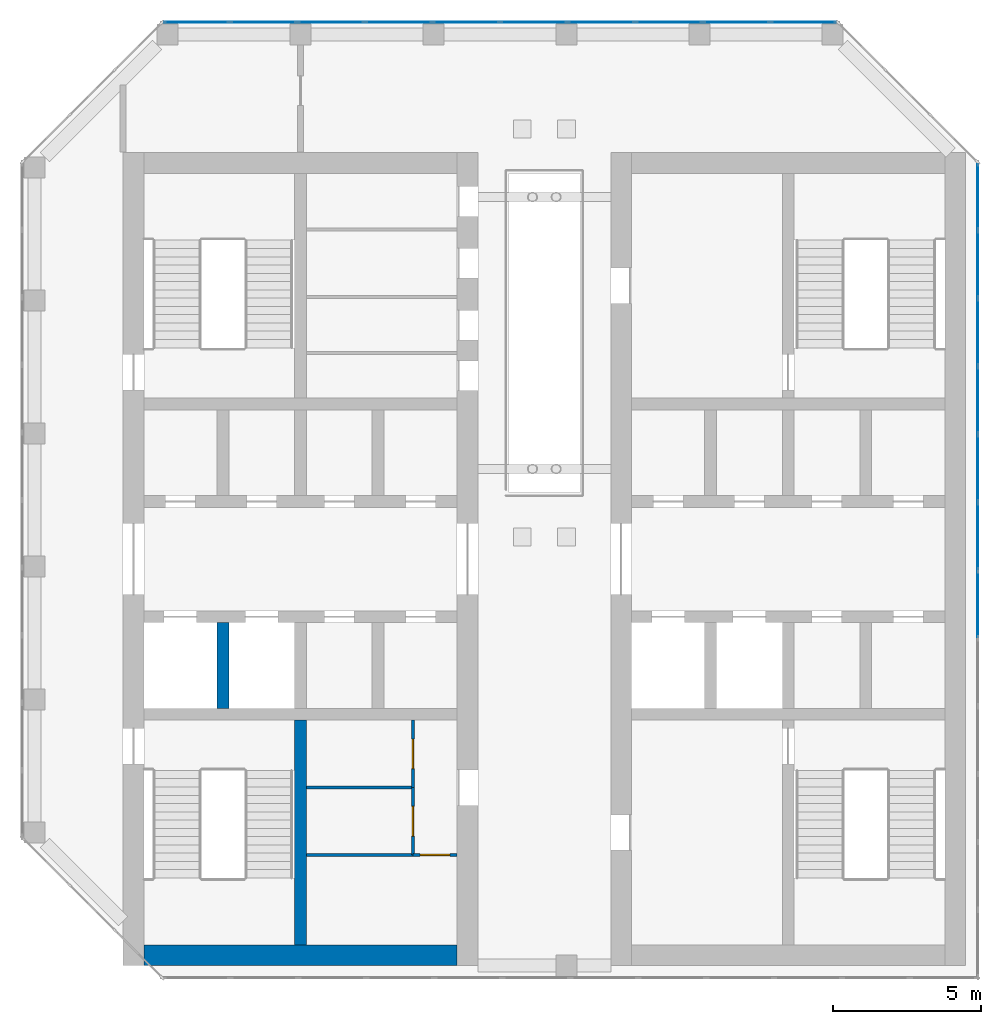
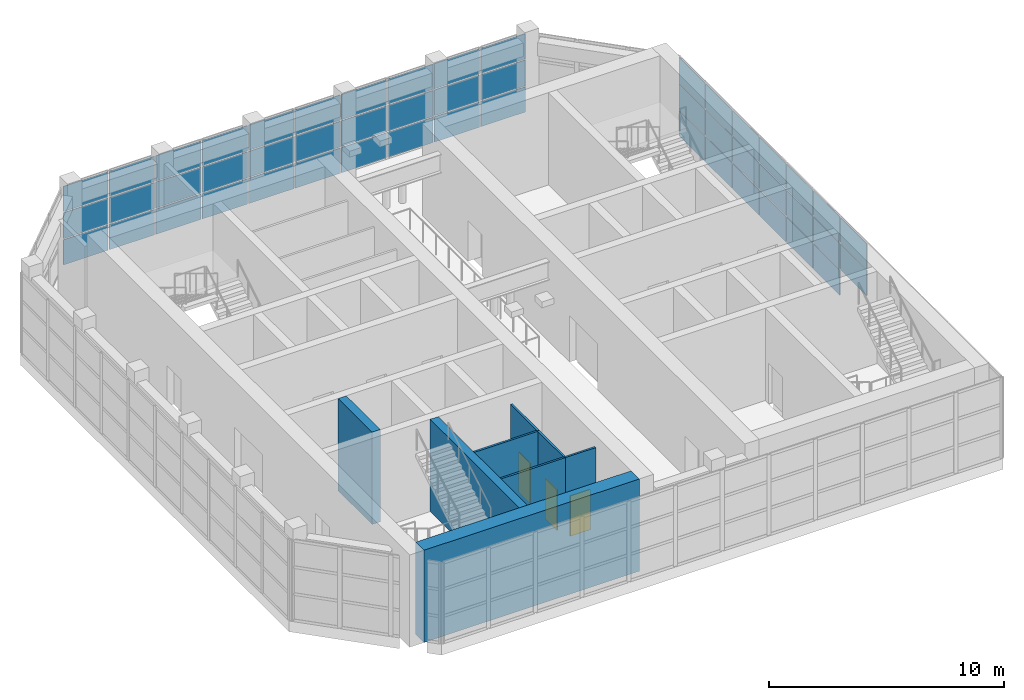
# One storey, part 9 of 13: 50 plates, 8 walls, 3 doors, 3 openings, 2 elements without a shape of their own.
"""IFC4 building model written with IfcOpenShell, lengths in metres."""

from ifc_helpers import new_model, si_unit, direction, frame, frame_2d, origin, origin_2d, place, context, subcontext, project, spatial, rectangle, extrude, material, layer, layer_set, type_object, element, fill, aggregate, save


model = new_model("IFC4")

# Units and contexts
model_context = context("Model", 3, precision=1e-05, world=origin(), true_north=direction((0.0, 1.0)))
body_context = subcontext(model_context, "Body", "Model", "MODEL_VIEW")
ifc_project = project(units=[si_unit("LENGTHUNIT", "METRE"), si_unit("AREAUNIT", "SQUARE_METRE"), si_unit("VOLUMEUNIT", "CUBIC_METRE"), si_unit("PLANEANGLEUNIT", "RADIAN"), si_unit("MASSUNIT", "GRAM", prefix="KILO")], contexts=[model_context])

# Site, building, storey
site_placement = place(None, origin())
site = spatial("IfcSite", under=ifc_project, at=site_placement, CompositionType="ELEMENT")
building_placement = place(site_placement, origin())
building = spatial("IfcBuilding", under=site, at=building_placement, Name="Corbel Stack Research Tower", CompositionType="ELEMENT")
storey_placement = place(building_placement, frame((0.0, 0.0, 316.60009765625)))
storey = spatial("IfcBuildingStorey", under=building, at=storey_placement, Name="L71", CompositionType="ELEMENT", Elevation=316.60009765625)

# Curtain wall, plates
ifc_material_1 = material(Name="Aluminium and glass", Category="aluminium")
curtain_wall_type = type_object("IfcCurtainWallType", Name="CW4C damper hall glazing wall, corner", PredefinedType="NOTDEFINED", material=ifc_material_1)
curtain_wall_1_placement = place(storey_placement, origin())
curtain_wall_1 = element("IfcCurtainWall", 1, at=curtain_wall_1_placement, inside=storey, type_object=curtain_wall_type, Name="Damper hall curtain wall L71 4", PredefinedType="NOTDEFINED")
ifc_material_2 = material(Name="Glass, laminated amber tint", Category="glass")
ifc_layer_1 = layer(ifc_material_2, 0.031982421875)
ifc_layer_set_1 = layer_set([ifc_layer_1], Name="Glass, laminated amber tint")
plate_type = type_object("IfcPlateType", Name="CW4 amber laminated glass panel 32", PredefinedType="CURTAIN_PANEL", material=ifc_layer_set_1)
plate_1_placement = place(storey_placement, frame((-8.0166015625, 22.919921875, 0.059814453125), z_axis=(0.0, 0.0, 1.0), x_axis=(1.0, 0.0, 0.0)))
plate_1 = element("IfcPlate", 2, at=plate_1_placement, type_object=plate_type, Name="CW4C panel 1.1", PredefinedType="CURTAIN_PANEL", context=body_context, shape_type="SweptSolid", body=[
    extrude(rectangle(XDim=2.19482421875, YDim=0.031982421875, at=origin_2d()), origin(), (0.0, 0.0, 1.0), 1.31005859375),
])
plate_2_placement = place(storey_placement, frame((-8.0166015625, 22.919921875, 1.4296875), z_axis=(0.0, 0.0, 1.0), x_axis=(1.0, 0.0, 0.0)))
plate_2 = element("IfcPlate", 3, at=plate_2_placement, type_object=plate_type, Name="CW4C panel 1.2", PredefinedType="CURTAIN_PANEL", context=body_context, shape_type="SweptSolid", body=[
    extrude(rectangle(XDim=2.19482421875, YDim=0.031982421875, at=origin_2d()), origin(), (0.0, 0.0, 1.0), 1.340087890625),
])
plate_3_placement = place(storey_placement, frame((-8.0166015625, 22.919921875, 2.829833984375), z_axis=(0.0, 0.0, 1.0), x_axis=(1.0, 0.0, 0.0)))
plate_3 = element("IfcPlate", 4, at=plate_3_placement, type_object=plate_type, Name="CW4C panel 1.3", PredefinedType="CURTAIN_PANEL", context=body_context, shape_type="SweptSolid", body=[
    extrude(rectangle(XDim=2.19482421875, YDim=0.031982421875, at=origin_2d()), origin(), (0.0, 0.0, 1.0), 1.31005859375),
])
plate_4_placement = place(storey_placement, frame((-5.746826171875, 22.919921875, 0.059814453125), z_axis=(0.0, 0.0, 1.0), x_axis=(1.0, 0.0, 0.0)))
plate_4 = element("IfcPlate", 5, at=plate_4_placement, type_object=plate_type, Name="CW4C panel 2.1", PredefinedType="CURTAIN_PANEL", context=body_context, shape_type="SweptSolid", body=[
    extrude(rectangle(XDim=2.224853515625, YDim=0.031982421875, at=origin_2d()), origin(), (0.0, 0.0, 1.0), 1.31005859375),
])
plate_5_placement = place(storey_placement, frame((-5.746826171875, 22.919921875, 1.4296875), z_axis=(0.0, 0.0, 1.0), x_axis=(1.0, 0.0, 0.0)))
plate_5 = element("IfcPlate", 6, at=plate_5_placement, type_object=plate_type, Name="CW4C panel 2.2", PredefinedType="CURTAIN_PANEL", context=body_context, shape_type="SweptSolid", body=[
    extrude(rectangle(XDim=2.224853515625, YDim=0.031982421875, at=origin_2d()), origin(), (0.0, 0.0, 1.0), 1.340087890625),
])
plate_6_placement = place(storey_placement, frame((-5.746826171875, 22.919921875, 2.829833984375), z_axis=(0.0, 0.0, 1.0), x_axis=(1.0, 0.0, 0.0)))
plate_6 = element("IfcPlate", 7, at=plate_6_placement, type_object=plate_type, Name="CW4C panel 2.3", PredefinedType="CURTAIN_PANEL", context=body_context, shape_type="SweptSolid", body=[
    extrude(rectangle(XDim=2.224853515625, YDim=0.031982421875, at=origin_2d()), origin(), (0.0, 0.0, 1.0), 1.31005859375),
])
plate_7_placement = place(storey_placement, frame((-3.4619140625, 22.919921875, 0.059814453125), z_axis=(0.0, 0.0, 1.0), x_axis=(1.0, 0.0, 0.0)))
plate_7 = element("IfcPlate", 8, at=plate_7_placement, type_object=plate_type, Name="CW4C panel 3.1", PredefinedType="CURTAIN_PANEL", context=body_context, shape_type="SweptSolid", body=[
    extrude(rectangle(XDim=2.224853515625, YDim=0.031982421875, at=origin_2d()), origin(), (0.0, 0.0, 1.0), 1.31005859375),
])
plate_8_placement = place(storey_placement, frame((-3.4619140625, 22.919921875, 1.4296875), z_axis=(0.0, 0.0, 1.0), x_axis=(1.0, 0.0, 0.0)))
plate_8 = element("IfcPlate", 9, at=plate_8_placement, type_object=plate_type, Name="CW4C panel 3.2", PredefinedType="CURTAIN_PANEL", context=body_context, shape_type="SweptSolid", body=[
    extrude(rectangle(XDim=2.224853515625, YDim=0.031982421875, at=origin_2d()), origin(), (0.0, 0.0, 1.0), 1.340087890625),
])
plate_9_placement = place(storey_placement, frame((-3.4619140625, 22.919921875, 2.829833984375), z_axis=(0.0, 0.0, 1.0), x_axis=(1.0, 0.0, 0.0)))
plate_9 = element("IfcPlate", 10, at=plate_9_placement, type_object=plate_type, Name="CW4C panel 3.3", PredefinedType="CURTAIN_PANEL", context=body_context, shape_type="SweptSolid", body=[
    extrude(rectangle(XDim=2.224853515625, YDim=0.031982421875, at=origin_2d()), origin(), (0.0, 0.0, 1.0), 1.31005859375),
])
plate_10_placement = place(storey_placement, frame((-1.17724609375, 22.919921875, 0.059814453125), z_axis=(0.0, 0.0, 1.0), x_axis=(1.0, 0.0, 0.0)))
plate_10 = element("IfcPlate", 11, at=plate_10_placement, type_object=plate_type, Name="CW4C panel 4.1", PredefinedType="CURTAIN_PANEL", context=body_context, shape_type="SweptSolid", body=[
    extrude(rectangle(XDim=2.224853515625, YDim=0.031982421875, at=origin_2d()), origin(), (0.0, 0.0, 1.0), 1.31005859375),
])
plate_11_placement = place(storey_placement, frame((-1.17724609375, 22.919921875, 1.4296875), z_axis=(0.0, 0.0, 1.0), x_axis=(1.0, 0.0, 0.0)))
plate_11 = element("IfcPlate", 12, at=plate_11_placement, type_object=plate_type, Name="CW4C panel 4.2", PredefinedType="CURTAIN_PANEL", context=body_context, shape_type="SweptSolid", body=[
    extrude(rectangle(XDim=2.224853515625, YDim=0.031982421875, at=origin_2d()), origin(), (0.0, 0.0, 1.0), 1.340087890625),
])
plate_12_placement = place(storey_placement, frame((-1.17724609375, 22.919921875, 2.829833984375), z_axis=(0.0, 0.0, 1.0), x_axis=(1.0, 0.0, 0.0)))
plate_12 = element("IfcPlate", 13, at=plate_12_placement, type_object=plate_type, Name="CW4C panel 4.3", PredefinedType="CURTAIN_PANEL", context=body_context, shape_type="SweptSolid", body=[
    extrude(rectangle(XDim=2.224853515625, YDim=0.031982421875, at=origin_2d()), origin(), (0.0, 0.0, 1.0), 1.31005859375),
])
plate_13_placement = place(storey_placement, frame((1.107666015625, 22.919921875, 0.059814453125), z_axis=(0.0, 0.0, 1.0), x_axis=(1.0, 0.0, 0.0)))
plate_13 = element("IfcPlate", 14, at=plate_13_placement, type_object=plate_type, Name="CW4C panel 5.1", PredefinedType="CURTAIN_PANEL", context=body_context, shape_type="SweptSolid", body=[
    extrude(rectangle(XDim=2.224853515625, YDim=0.031982421875, at=origin_2d()), origin(), (0.0, 0.0, 1.0), 1.31005859375),
])
plate_14_placement = place(storey_placement, frame((1.107666015625, 22.919921875, 1.4296875), z_axis=(0.0, 0.0, 1.0), x_axis=(1.0, 0.0, 0.0)))
plate_14 = element("IfcPlate", 15, at=plate_14_placement, type_object=plate_type, Name="CW4C panel 5.2", PredefinedType="CURTAIN_PANEL", context=body_context, shape_type="SweptSolid", body=[
    extrude(rectangle(XDim=2.224853515625, YDim=0.031982421875, at=origin_2d()), origin(), (0.0, 0.0, 1.0), 1.340087890625),
])
plate_15_placement = place(storey_placement, frame((1.107666015625, 22.919921875, 2.829833984375), z_axis=(0.0, 0.0, 1.0), x_axis=(1.0, 0.0, 0.0)))
plate_15 = element("IfcPlate", 16, at=plate_15_placement, type_object=plate_type, Name="CW4C panel 5.3", PredefinedType="CURTAIN_PANEL", context=body_context, shape_type="SweptSolid", body=[
    extrude(rectangle(XDim=2.224853515625, YDim=0.031982421875, at=origin_2d()), origin(), (0.0, 0.0, 1.0), 1.31005859375),
])
plate_16_placement = place(storey_placement, frame((3.392333984375, 22.919921875, 0.059814453125), z_axis=(0.0, 0.0, 1.0), x_axis=(1.0, 0.0, 0.0)))
plate_16 = element("IfcPlate", 17, at=plate_16_placement, type_object=plate_type, Name="CW4C panel 6.1", PredefinedType="CURTAIN_PANEL", context=body_context, shape_type="SweptSolid", body=[
    extrude(rectangle(XDim=2.224853515625, YDim=0.031982421875, at=origin_2d()), origin(), (0.0, 0.0, 1.0), 1.31005859375),
])
plate_17_placement = place(storey_placement, frame((3.392333984375, 22.919921875, 1.4296875), z_axis=(0.0, 0.0, 1.0), x_axis=(1.0, 0.0, 0.0)))
plate_17 = element("IfcPlate", 18, at=plate_17_placement, type_object=plate_type, Name="CW4C panel 6.2", PredefinedType="CURTAIN_PANEL", context=body_context, shape_type="SweptSolid", body=[
    extrude(rectangle(XDim=2.224853515625, YDim=0.031982421875, at=origin_2d()), origin(), (0.0, 0.0, 1.0), 1.340087890625),
])
plate_18_placement = place(storey_placement, frame((3.392333984375, 22.919921875, 2.829833984375), z_axis=(0.0, 0.0, 1.0), x_axis=(1.0, 0.0, 0.0)))
plate_18 = element("IfcPlate", 19, at=plate_18_placement, type_object=plate_type, Name="CW4C panel 6.3", PredefinedType="CURTAIN_PANEL", context=body_context, shape_type="SweptSolid", body=[
    extrude(rectangle(XDim=2.224853515625, YDim=0.031982421875, at=origin_2d()), origin(), (0.0, 0.0, 1.0), 1.31005859375),
])
plate_19_placement = place(storey_placement, frame((5.67724609375, 22.919921875, 0.059814453125), z_axis=(0.0, 0.0, 1.0), x_axis=(1.0, 0.0, 0.0)))
plate_19 = element("IfcPlate", 20, at=plate_19_placement, type_object=plate_type, Name="CW4C panel 7.1", PredefinedType="CURTAIN_PANEL", context=body_context, shape_type="SweptSolid", body=[
    extrude(rectangle(XDim=2.224853515625, YDim=0.031982421875, at=origin_2d()), origin(), (0.0, 0.0, 1.0), 1.31005859375),
])
plate_20_placement = place(storey_placement, frame((5.67724609375, 22.919921875, 1.4296875), z_axis=(0.0, 0.0, 1.0), x_axis=(1.0, 0.0, 0.0)))
plate_20 = element("IfcPlate", 21, at=plate_20_placement, type_object=plate_type, Name="CW4C panel 7.2", PredefinedType="CURTAIN_PANEL", context=body_context, shape_type="SweptSolid", body=[
    extrude(rectangle(XDim=2.224853515625, YDim=0.031982421875, at=origin_2d()), origin(), (0.0, 0.0, 1.0), 1.340087890625),
])
plate_21_placement = place(storey_placement, frame((5.67724609375, 22.919921875, 2.829833984375), z_axis=(0.0, 0.0, 1.0), x_axis=(1.0, 0.0, 0.0)))
plate_21 = element("IfcPlate", 22, at=plate_21_placement, type_object=plate_type, Name="CW4C panel 7.3", PredefinedType="CURTAIN_PANEL", context=body_context, shape_type="SweptSolid", body=[
    extrude(rectangle(XDim=2.224853515625, YDim=0.031982421875, at=origin_2d()), origin(), (0.0, 0.0, 1.0), 1.31005859375),
])
plate_22_placement = place(storey_placement, frame((7.9619140625, 22.919921875, 0.059814453125), z_axis=(0.0, 0.0, 1.0), x_axis=(1.0, 0.0, 0.0)))
plate_22 = element("IfcPlate", 23, at=plate_22_placement, type_object=plate_type, Name="CW4C panel 8.1", PredefinedType="CURTAIN_PANEL", context=body_context, shape_type="SweptSolid", body=[
    extrude(rectangle(XDim=2.224853515625, YDim=0.031982421875, at=origin_2d()), origin(), (0.0, 0.0, 1.0), 1.31005859375),
])
plate_23_placement = place(storey_placement, frame((7.9619140625, 22.919921875, 1.4296875), z_axis=(0.0, 0.0, 1.0), x_axis=(1.0, 0.0, 0.0)))
plate_23 = element("IfcPlate", 24, at=plate_23_placement, type_object=plate_type, Name="CW4C panel 8.2", PredefinedType="CURTAIN_PANEL", context=body_context, shape_type="SweptSolid", body=[
    extrude(rectangle(XDim=2.224853515625, YDim=0.031982421875, at=origin_2d()), origin(), (0.0, 0.0, 1.0), 1.340087890625),
])
plate_24_placement = place(storey_placement, frame((7.9619140625, 22.919921875, 2.829833984375), z_axis=(0.0, 0.0, 1.0), x_axis=(1.0, 0.0, 0.0)))
plate_24 = element("IfcPlate", 25, at=plate_24_placement, type_object=plate_type, Name="CW4C panel 8.3", PredefinedType="CURTAIN_PANEL", context=body_context, shape_type="SweptSolid", body=[
    extrude(rectangle(XDim=2.224853515625, YDim=0.031982421875, at=origin_2d()), origin(), (0.0, 0.0, 1.0), 1.31005859375),
])
plate_25_placement = place(storey_placement, frame((10.246826171875, 22.919921875, 0.059814453125), z_axis=(0.0, 0.0, 1.0), x_axis=(1.0, 0.0, 0.0)))
plate_25 = element("IfcPlate", 26, at=plate_25_placement, type_object=plate_type, Name="CW4C panel 9.1", PredefinedType="CURTAIN_PANEL", context=body_context, shape_type="SweptSolid", body=[
    extrude(rectangle(XDim=2.224853515625, YDim=0.031982421875, at=origin_2d()), origin(), (0.0, 0.0, 1.0), 1.31005859375),
])
plate_26_placement = place(storey_placement, frame((10.246826171875, 22.919921875, 1.4296875), z_axis=(0.0, 0.0, 1.0), x_axis=(1.0, 0.0, 0.0)))
plate_26 = element("IfcPlate", 27, at=plate_26_placement, type_object=plate_type, Name="CW4C panel 9.2", PredefinedType="CURTAIN_PANEL", context=body_context, shape_type="SweptSolid", body=[
    extrude(rectangle(XDim=2.224853515625, YDim=0.031982421875, at=origin_2d()), origin(), (0.0, 0.0, 1.0), 1.340087890625),
])
plate_27_placement = place(storey_placement, frame((10.246826171875, 22.919921875, 2.829833984375), z_axis=(0.0, 0.0, 1.0), x_axis=(1.0, 0.0, 0.0)))
plate_27 = element("IfcPlate", 28, at=plate_27_placement, type_object=plate_type, Name="CW4C panel 9.3", PredefinedType="CURTAIN_PANEL", context=body_context, shape_type="SweptSolid", body=[
    extrude(rectangle(XDim=2.224853515625, YDim=0.031982421875, at=origin_2d()), origin(), (0.0, 0.0, 1.0), 1.31005859375),
])
plate_28_placement = place(storey_placement, frame((12.5166015625, 22.919921875, 0.059814453125), z_axis=(0.0, 0.0, 1.0), x_axis=(1.0, 0.0, 0.0)))
plate_28 = element("IfcPlate", 29, at=plate_28_placement, type_object=plate_type, Name="CW4C panel 10.1", PredefinedType="CURTAIN_PANEL", context=body_context, shape_type="SweptSolid", body=[
    extrude(rectangle(XDim=2.19482421875, YDim=0.031982421875, at=origin_2d()), origin(), (0.0, 0.0, 1.0), 1.31005859375),
])
plate_29_placement = place(storey_placement, frame((12.5166015625, 22.919921875, 1.4296875), z_axis=(0.0, 0.0, 1.0), x_axis=(1.0, 0.0, 0.0)))
plate_29 = element("IfcPlate", 30, at=plate_29_placement, type_object=plate_type, Name="CW4C panel 10.2", PredefinedType="CURTAIN_PANEL", context=body_context, shape_type="SweptSolid", body=[
    extrude(rectangle(XDim=2.19482421875, YDim=0.031982421875, at=origin_2d()), origin(), (0.0, 0.0, 1.0), 1.340087890625),
])
plate_30_placement = place(storey_placement, frame((12.5166015625, 22.919921875, 2.829833984375), z_axis=(0.0, 0.0, 1.0), x_axis=(1.0, 0.0, 0.0)))
plate_30 = element("IfcPlate", 31, at=plate_30_placement, type_object=plate_type, Name="CW4C panel 10.3", PredefinedType="CURTAIN_PANEL", context=body_context, shape_type="SweptSolid", body=[
    extrude(rectangle(XDim=2.19482421875, YDim=0.031982421875, at=origin_2d()), origin(), (0.0, 0.0, 1.0), 1.31005859375),
])
aggregate(curtain_wall_1, [plate_1, plate_2, plate_3, plate_4, plate_5, plate_6, plate_7, plate_8, plate_9, plate_10, plate_11, plate_12, plate_13, plate_14, plate_15, plate_16, plate_17, plate_18, plate_19, plate_20, plate_21, plate_22, plate_23, plate_24, plate_25, plate_26, plate_27, plate_28, plate_29, plate_30])

curtain_wall_2_placement = place(storey_placement, origin())
curtain_wall_2 = element("IfcCurtainWall", 32, at=curtain_wall_2_placement, inside=storey, type_object=curtain_wall_type, Name="Damper hall curtain wall L71 6", PredefinedType="NOTDEFINED")
plate_31_placement = place(storey_placement, frame((18.419921875, 17.00927734375, 0.059814453125), z_axis=(0.0, 0.0, 1.0), x_axis=(0.0, -1.0, 0.0)))
plate_31 = element("IfcPlate", 33, at=plate_31_placement, type_object=plate_type, Name="CW4C panel 1.1", PredefinedType="CURTAIN_PANEL", context=body_context, shape_type="SweptSolid", body=[
    extrude(rectangle(XDim=2.20947265625, YDim=0.031982421875, at=origin_2d()), origin(), (0.0, 0.0, 1.0), 1.31005859375),
])
plate_32_placement = place(storey_placement, frame((18.419921875, 17.00927734375, 1.4296875), z_axis=(0.0, 0.0, 1.0), x_axis=(0.0, -1.0, 0.0)))
plate_32 = element("IfcPlate", 34, at=plate_32_placement, type_object=plate_type, Name="CW4C panel 1.2", PredefinedType="CURTAIN_PANEL", context=body_context, shape_type="SweptSolid", body=[
    extrude(rectangle(XDim=2.20947265625, YDim=0.031982421875, at=origin_2d()), origin(), (0.0, 0.0, 1.0), 1.340087890625),
])
plate_33_placement = place(storey_placement, frame((18.419921875, 17.00927734375, 2.829833984375), z_axis=(0.0, 0.0, 1.0), x_axis=(0.0, -1.0, 0.0)))
plate_33 = element("IfcPlate", 35, at=plate_33_placement, type_object=plate_type, Name="CW4C panel 1.3", PredefinedType="CURTAIN_PANEL", context=body_context, shape_type="SweptSolid", body=[
    extrude(rectangle(XDim=2.20947265625, YDim=0.031982421875, at=origin_2d()), origin(), (0.0, 0.0, 1.0), 1.31005859375),
])
plate_34_placement = place(storey_placement, frame((18.419921875, 14.724853515625, 0.059814453125), z_axis=(0.0, 0.0, 1.0), x_axis=(0.0, -1.0, 0.0)))
plate_34 = element("IfcPlate", 36, at=plate_34_placement, type_object=plate_type, Name="CW4C panel 2.1", PredefinedType="CURTAIN_PANEL", context=body_context, shape_type="SweptSolid", body=[
    extrude(rectangle(XDim=2.239501953125, YDim=0.031982421875, at=origin_2d()), origin(), (0.0, 0.0, 1.0), 1.31005859375),
])
plate_35_placement = place(storey_placement, frame((18.419921875, 14.724853515625, 1.4296875), z_axis=(0.0, 0.0, 1.0), x_axis=(0.0, -1.0, 0.0)))
plate_35 = element("IfcPlate", 37, at=plate_35_placement, type_object=plate_type, Name="CW4C panel 2.2", PredefinedType="CURTAIN_PANEL", context=body_context, shape_type="SweptSolid", body=[
    extrude(rectangle(XDim=2.239501953125, YDim=0.031982421875, at=origin_2d()), origin(), (0.0, 0.0, 1.0), 1.340087890625),
])
plate_36_placement = place(storey_placement, frame((18.419921875, 14.724853515625, 2.829833984375), z_axis=(0.0, 0.0, 1.0), x_axis=(0.0, -1.0, 0.0)))
plate_36 = element("IfcPlate", 38, at=plate_36_placement, type_object=plate_type, Name="CW4C panel 2.3", PredefinedType="CURTAIN_PANEL", context=body_context, shape_type="SweptSolid", body=[
    extrude(rectangle(XDim=2.239501953125, YDim=0.031982421875, at=origin_2d()), origin(), (0.0, 0.0, 1.0), 1.31005859375),
])
plate_37_placement = place(storey_placement, frame((18.419921875, 12.42529296875, 0.059814453125), z_axis=(0.0, 0.0, 1.0), x_axis=(0.0, -1.0, 0.0)))
plate_37 = element("IfcPlate", 39, at=plate_37_placement, type_object=plate_type, Name="CW4C panel 3.1", PredefinedType="CURTAIN_PANEL", context=body_context, shape_type="SweptSolid", body=[
    extrude(rectangle(XDim=2.239501953125, YDim=0.031982421875, at=origin_2d()), origin(), (0.0, 0.0, 1.0), 1.31005859375),
])
plate_38_placement = place(storey_placement, frame((18.419921875, 12.42529296875, 1.4296875), z_axis=(0.0, 0.0, 1.0), x_axis=(0.0, -1.0, 0.0)))
plate_38 = element("IfcPlate", 40, at=plate_38_placement, type_object=plate_type, Name="CW4C panel 3.2", PredefinedType="CURTAIN_PANEL", context=body_context, shape_type="SweptSolid", body=[
    extrude(rectangle(XDim=2.239501953125, YDim=0.031982421875, at=origin_2d()), origin(), (0.0, 0.0, 1.0), 1.340087890625),
])
plate_39_placement = place(storey_placement, frame((18.419921875, 12.42529296875, 2.829833984375), z_axis=(0.0, 0.0, 1.0), x_axis=(0.0, -1.0, 0.0)))
plate_39 = element("IfcPlate", 41, at=plate_39_placement, type_object=plate_type, Name="CW4C panel 3.3", PredefinedType="CURTAIN_PANEL", context=body_context, shape_type="SweptSolid", body=[
    extrude(rectangle(XDim=2.239501953125, YDim=0.031982421875, at=origin_2d()), origin(), (0.0, 0.0, 1.0), 1.31005859375),
])
plate_40_placement = place(storey_placement, frame((18.419921875, 10.125732421875, 0.059814453125), z_axis=(0.0, 0.0, 1.0), x_axis=(0.0, -1.0, 0.0)))
plate_40 = element("IfcPlate", 42, at=plate_40_placement, type_object=plate_type, Name="CW4C panel 4.1", PredefinedType="CURTAIN_PANEL", context=body_context, shape_type="SweptSolid", body=[
    extrude(rectangle(XDim=2.239501953125, YDim=0.031982421875, at=origin_2d()), origin(), (0.0, 0.0, 1.0), 1.31005859375),
])
plate_41_placement = place(storey_placement, frame((18.419921875, 10.125732421875, 1.4296875), z_axis=(0.0, 0.0, 1.0), x_axis=(0.0, -1.0, 0.0)))
plate_41 = element("IfcPlate", 43, at=plate_41_placement, type_object=plate_type, Name="CW4C panel 4.2", PredefinedType="CURTAIN_PANEL", context=body_context, shape_type="SweptSolid", body=[
    extrude(rectangle(XDim=2.239501953125, YDim=0.031982421875, at=origin_2d()), origin(), (0.0, 0.0, 1.0), 1.340087890625),
])
plate_42_placement = place(storey_placement, frame((18.419921875, 10.125732421875, 2.829833984375), z_axis=(0.0, 0.0, 1.0), x_axis=(0.0, -1.0, 0.0)))
plate_42 = element("IfcPlate", 44, at=plate_42_placement, type_object=plate_type, Name="CW4C panel 4.3", PredefinedType="CURTAIN_PANEL", context=body_context, shape_type="SweptSolid", body=[
    extrude(rectangle(XDim=2.239501953125, YDim=0.031982421875, at=origin_2d()), origin(), (0.0, 0.0, 1.0), 1.31005859375),
])
plate_43_placement = place(storey_placement, frame((18.419921875, 7.826171875, 0.059814453125), z_axis=(0.0, 0.0, 1.0), x_axis=(0.0, -1.0, 0.0)))
plate_43 = element("IfcPlate", 45, at=plate_43_placement, type_object=plate_type, Name="CW4C panel 5.1", PredefinedType="CURTAIN_PANEL", context=body_context, shape_type="SweptSolid", body=[
    extrude(rectangle(XDim=2.239501953125, YDim=0.031982421875, at=origin_2d()), origin(), (0.0, 0.0, 1.0), 1.31005859375),
])
plate_44_placement = place(storey_placement, frame((18.419921875, 7.826171875, 1.4296875), z_axis=(0.0, 0.0, 1.0), x_axis=(0.0, -1.0, 0.0)))
plate_44 = element("IfcPlate", 46, at=plate_44_placement, type_object=plate_type, Name="CW4C panel 5.2", PredefinedType="CURTAIN_PANEL", context=body_context, shape_type="SweptSolid", body=[
    extrude(rectangle(XDim=2.239501953125, YDim=0.031982421875, at=origin_2d()), origin(), (0.0, 0.0, 1.0), 1.340087890625),
])
plate_45_placement = place(storey_placement, frame((18.419921875, 7.826171875, 2.829833984375), z_axis=(0.0, 0.0, 1.0), x_axis=(0.0, -1.0, 0.0)))
plate_45 = element("IfcPlate", 47, at=plate_45_placement, type_object=plate_type, Name="CW4C panel 5.3", PredefinedType="CURTAIN_PANEL", context=body_context, shape_type="SweptSolid", body=[
    extrude(rectangle(XDim=2.239501953125, YDim=0.031982421875, at=origin_2d()), origin(), (0.0, 0.0, 1.0), 1.31005859375),
])
plate_46_placement = place(storey_placement, frame((18.419921875, 5.52685546875, 0.059814453125), z_axis=(0.0, 0.0, 1.0), x_axis=(0.0, -1.0, 0.0)))
plate_46 = element("IfcPlate", 48, at=plate_46_placement, type_object=plate_type, Name="CW4C panel 6.1", PredefinedType="CURTAIN_PANEL", context=body_context, shape_type="SweptSolid", body=[
    extrude(rectangle(XDim=2.239501953125, YDim=0.031982421875, at=origin_2d()), origin(), (0.0, 0.0, 1.0), 1.31005859375),
])
plate_47_placement = place(storey_placement, frame((18.419921875, 5.52685546875, 1.4296875), z_axis=(0.0, 0.0, 1.0), x_axis=(0.0, -1.0, 0.0)))
plate_47 = element("IfcPlate", 49, at=plate_47_placement, type_object=plate_type, Name="CW4C panel 6.2", PredefinedType="CURTAIN_PANEL", context=body_context, shape_type="SweptSolid", body=[
    extrude(rectangle(XDim=2.239501953125, YDim=0.031982421875, at=origin_2d()), origin(), (0.0, 0.0, 1.0), 1.340087890625),
])
plate_48_placement = place(storey_placement, frame((18.419921875, 5.52685546875, 2.829833984375), z_axis=(0.0, 0.0, 1.0), x_axis=(0.0, -1.0, 0.0)))
plate_48 = element("IfcPlate", 50, at=plate_48_placement, type_object=plate_type, Name="CW4C panel 6.3", PredefinedType="CURTAIN_PANEL", context=body_context, shape_type="SweptSolid", body=[
    extrude(rectangle(XDim=2.239501953125, YDim=0.031982421875, at=origin_2d()), origin(), (0.0, 0.0, 1.0), 1.31005859375),
])
plate_49_placement = place(storey_placement, frame((18.419921875, 3.227294921875, 1.4296875), z_axis=(0.0, 0.0, 1.0), x_axis=(0.0, -1.0, 0.0)))
plate_49 = element("IfcPlate", 51, at=plate_49_placement, type_object=plate_type, Name="CW4C panel 7.2", PredefinedType="CURTAIN_PANEL", context=body_context, shape_type="SweptSolid", body=[
    extrude(rectangle(XDim=2.239501953125, YDim=0.031982421875, at=origin_2d()), origin(), (0.0, 0.0, 1.0), 1.340087890625),
])
plate_50_placement = place(storey_placement, frame((18.419921875, 3.227294921875, 2.829833984375), z_axis=(0.0, 0.0, 1.0), x_axis=(0.0, -1.0, 0.0)))
plate_50 = element("IfcPlate", 52, at=plate_50_placement, type_object=plate_type, Name="CW4C panel 7.3", PredefinedType="CURTAIN_PANEL", context=body_context, shape_type="SweptSolid", body=[
    extrude(rectangle(XDim=2.239501953125, YDim=0.031982421875, at=origin_2d()), origin(), (0.0, 0.0, 1.0), 1.31005859375),
])
aggregate(curtain_wall_2, [plate_31, plate_32, plate_33, plate_34, plate_35, plate_36, plate_37, plate_38, plate_39, plate_40, plate_41, plate_42, plate_43, plate_44, plate_45, plate_46, plate_47, plate_48, plate_49, plate_50])

# Walls
ifc_material_3 = material(Name="Concrete C60/75", Category="concrete")
ifc_layer_2 = layer(ifc_material_3, 0.39990234375)
ifc_layer_set_2 = layer_set([ifc_layer_2], Name="Concrete C60/75")
wall_type_1 = type_object("IfcWallType", Name="CW-400-60", PredefinedType="SHEAR", material=ifc_layer_set_2)
wall_1_placement = place(storey_placement, frame((-7.125, -0.300048828125, 0.0), z_axis=(0.0, 0.0, 1.0), x_axis=(0.0, 1.0, 0.0)))
element("IfcWall", 53, at=wall_1_placement, inside=storey, type_object=wall_type_1, Name="West core wall, south shaft 1 L71", PredefinedType="SHEAR", context=body_context, shape_type="SweptSolid", body=[
    extrude(rectangle(XDim=2.900146484375, YDim=0.39990234375, at=frame_2d((1.4501953125, 0.0))), origin(), (0.0, 0.0, 1.0), 4.7998046875),
])
wall_2_placement = place(storey_placement, frame((-4.5, -8.300048828125, 0.0), z_axis=(0.0, 0.0, 1.0), x_axis=(0.0, 1.0, 0.0)))
element("IfcWall", 54, at=wall_2_placement, inside=storey, type_object=wall_type_1, Name="West core wall, south stair and WC L71", PredefinedType="SHEAR", context=body_context, shape_type="SweptSolid", body=[
    extrude(rectangle(XDim=7.60009765625, YDim=0.39990234375, at=frame_2d((3.800048828125, 0.0))), origin(), (0.0, 0.0, 1.0), 4.7998046875),
])
ifc_material_4 = material(Name="Concrete C60/75", Category="concrete")
ifc_layer_3 = layer(ifc_material_4, 0.699951171875)
ifc_layer_set_3 = layer_set([ifc_layer_3], Name="Concrete C60/75")
wall_type_2 = type_object("IfcWallType", Name="CW-700-60", PredefinedType="SHEAR", material=ifc_layer_set_3)
wall_3_placement = place(storey_placement, frame((-9.800048828125, -8.64990234375, 0.0), z_axis=(0.0, 0.0, 1.0), x_axis=(1.0, 0.0, 0.0)))
element("IfcWall", 55, at=wall_3_placement, inside=storey, type_object=wall_type_2, Name="West core wall, south end L71", PredefinedType="SHEAR", context=body_context, shape_type="SweptSolid", body=[
    extrude(rectangle(XDim=10.60009765625, YDim=0.699951171875, at=frame_2d((5.300048828125, 0.0))), origin(), (0.0, 0.0, 1.0), 4.7998046875),
])

# Wall, opening, door
ifc_material_5 = material(Name="Gypsum board")
ifc_layer_4 = layer(ifc_material_5, 0.10009765625)
ifc_layer_set_4 = layer_set([ifc_layer_4], Name="Gypsum board")
wall_type_3 = type_object("IfcWallType", Name="Core partition 100", PredefinedType="PARTITIONING", material=ifc_layer_set_4)
wall_4_placement = place(storey_placement, frame((-0.699951171875, -5.260009765625, 0.0), z_axis=(0.0, 0.0, 1.0), x_axis=(1.0, 0.0, 0.0)))
wall_4 = element("IfcWall", 56, at=wall_4_placement, inside=storey, type_object=wall_type_3, Name="Core partition W", PredefinedType="PARTITIONING", context=body_context, shape_type="SweptSolid", body=[
    extrude(rectangle(XDim=1.5, YDim=0.10009765625, at=frame_2d((0.75, 0.0))), origin(), (0.0, 0.0, 1.0), 4.199951171875),
])
opening_1_placement = place(wall_4_placement, frame((0.25, 0.0, 0.0)))
opening_1 = element("IfcOpeningElement", 57, at=opening_1_placement, cuts=wall_4, Name="Opening CR-W66-W2-1000", PredefinedType="OPENING", context=body_context, shape_type="SweptSolid", body=[
    extrude(rectangle(XDim=1.0, YDim=2.10009765625, at=frame_2d((0.5, 1.050048828125))), frame((0.0, 0.06005859375, 0.0), z_axis=(0.0, -1.0, 0.0), x_axis=(1.0, 0.0, 0.0)), (0.0, 0.0, 1.0), 0.1201171875),
])
ifc_material_6 = material(Name="Painted timber door", Category="wood")
door_type_1 = type_object("IfcDoorType", Name="WC door 1000 x 2100 right hand", OperationType="SINGLE_SWING_RIGHT", PredefinedType="DOOR", material=ifc_material_6)
door_1_placement = place(opening_1_placement, origin())
door_1 = element("IfcDoor", 58, at=door_1_placement, inside=storey, type_object=door_type_1, Name="Accessible WC door W core", OperationType="SINGLE_SWING_RIGHT", OverallHeight=2.10009765625, OverallWidth=1.0, PredefinedType="DOOR", context=body_context, shape_type="SweptSolid", body=[
    extrude(rectangle(XDim=1.0, YDim=2.10009765625, at=frame_2d((0.5, 1.050048828125))), frame((0.0, 0.02490234375, 0.0), z_axis=(0.0, -1.0, 0.0), x_axis=(1.0, 0.0, 0.0)), (0.0, 0.0, 1.0), 0.050048828125),
])
fill(opening_1, door_1)

wall_5_placement = place(storey_placement, frame((-0.699951171875, -5.260009765625, 0.0), z_axis=(0.0, 0.0, 1.0), x_axis=(0.0, 1.0, 0.0)))
wall_5 = element("IfcWall", 59, at=wall_5_placement, inside=storey, type_object=wall_type_3, Name="Core partition W", PredefinedType="PARTITIONING", context=body_context, shape_type="SweptSolid", body=[
    extrude(rectangle(XDim=2.280029296875, YDim=0.10009765625, at=frame_2d((1.14013671875, 0.0))), origin(), (0.0, 0.0, 1.0), 4.199951171875),
])
opening_2_placement = place(wall_5_placement, frame((0.639892578125, 0.0, 0.0)))
opening_2 = element("IfcOpeningElement", 60, at=opening_2_placement, cuts=wall_5, Name="Opening CR-W66-W3-1000", PredefinedType="OPENING", context=body_context, shape_type="SweptSolid", body=[
    extrude(rectangle(XDim=1.0, YDim=2.10009765625, at=frame_2d((0.5, 1.050048828125))), frame((0.0, 0.06005859375, 0.0), z_axis=(0.0, -1.0, 0.0), x_axis=(1.0, 0.0, 0.0)), (0.0, 0.0, 1.0), 0.1201171875),
])
ifc_material_7 = material(Name="Painted timber door", Category="wood")
door_type_2 = type_object("IfcDoorType", Name="WC door 1000 x 2100 left hand", OperationType="SINGLE_SWING_LEFT", PredefinedType="DOOR", material=ifc_material_7)
door_2_placement = place(opening_2_placement, origin())
door_2 = element("IfcDoor", 61, at=door_2_placement, inside=storey, type_object=door_type_2, Name="Men's WC door W core", OperationType="SINGLE_SWING_LEFT", OverallHeight=2.10009765625, OverallWidth=1.0, PredefinedType="DOOR", context=body_context, shape_type="SweptSolid", body=[
    extrude(rectangle(XDim=1.0, YDim=2.10009765625, at=frame_2d((0.5, 1.050048828125))), frame((0.0, 0.02490234375, 0.0), z_axis=(0.0, -1.0, 0.0), x_axis=(1.0, 0.0, 0.0)), (0.0, 0.0, 1.0), 0.050048828125),
])
fill(opening_2, door_2)

wall_6_placement = place(storey_placement, frame((-0.699951171875, -2.97998046875, 0.0), z_axis=(0.0, 0.0, 1.0), x_axis=(0.0, 1.0, 0.0)))
wall_6 = element("IfcWall", 62, at=wall_6_placement, inside=storey, type_object=wall_type_3, Name="Core partition W", PredefinedType="PARTITIONING", context=body_context, shape_type="SweptSolid", body=[
    extrude(rectangle(XDim=2.280029296875, YDim=0.10009765625, at=frame_2d((1.14013671875, 0.0))), origin(), (0.0, 0.0, 1.0), 4.199951171875),
])
opening_3_placement = place(wall_6_placement, frame((0.639892578125, 0.0, 0.0)))
opening_3 = element("IfcOpeningElement", 63, at=opening_3_placement, cuts=wall_6, Name="Opening CR-W66-W4-1000", PredefinedType="OPENING", context=body_context, shape_type="SweptSolid", body=[
    extrude(rectangle(XDim=1.0, YDim=2.10009765625, at=frame_2d((0.5, 1.050048828125))), frame((0.0, 0.06005859375, 0.0), z_axis=(0.0, -1.0, 0.0), x_axis=(1.0, 0.0, 0.0)), (0.0, 0.0, 1.0), 0.1201171875),
])
door_3_placement = place(opening_3_placement, origin())
door_3 = element("IfcDoor", 64, at=door_3_placement, inside=storey, type_object=door_type_1, Name="Women's WC door W core", OperationType="SINGLE_SWING_RIGHT", OverallHeight=2.10009765625, OverallWidth=1.0, PredefinedType="DOOR", context=body_context, shape_type="SweptSolid", body=[
    extrude(rectangle(XDim=1.0, YDim=2.10009765625, at=frame_2d((0.5, 1.050048828125))), frame((0.0, 0.02490234375, 0.0), z_axis=(0.0, -1.0, 0.0), x_axis=(1.0, 0.0, 0.0)), (0.0, 0.0, 1.0), 0.050048828125),
])
fill(opening_3, door_3)

# Walls
for number, where, z_axis, x_axis, name in (
    (65, (-4.300048828125, -5.260009765625, 0.0), (0.0, 0.0, 1.0), (1.0, 0.0, 0.0), "Core partition W"),
    (66, (-4.300048828125, -2.97998046875, 0.0), (0.0, 0.0, 1.0), (1.0, 0.0, 0.0), "Core partition W"),
):
    element("IfcWall", number, at=place(storey_placement, frame(where, z_axis=z_axis, x_axis=x_axis)), inside=storey, type_object=wall_type_3, Name=name, PredefinedType="PARTITIONING", context=body_context, shape_type="SweptSolid", body=[
        extrude(rectangle(XDim=3.60009765625, YDim=0.10009765625, at=frame_2d((1.800048828125, 0.0))), origin(), (0.0, 0.0, 1.0), 4.199951171875),
    ])

save(model, "model.ifc")
